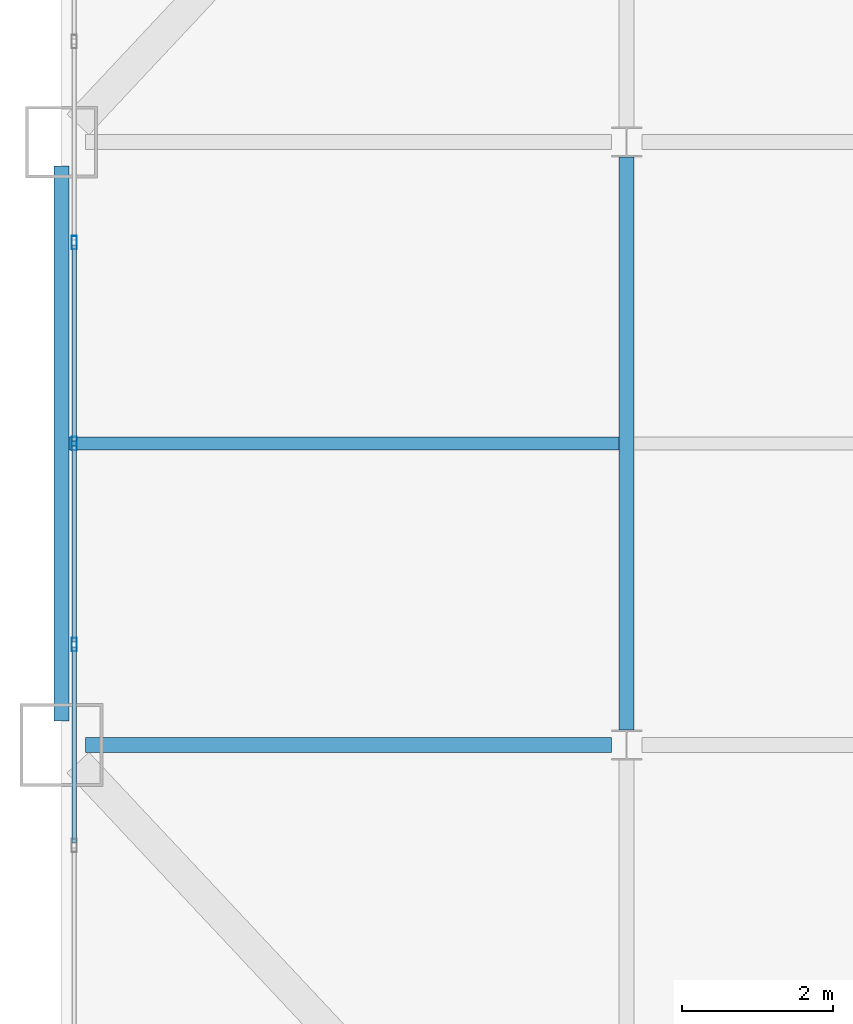
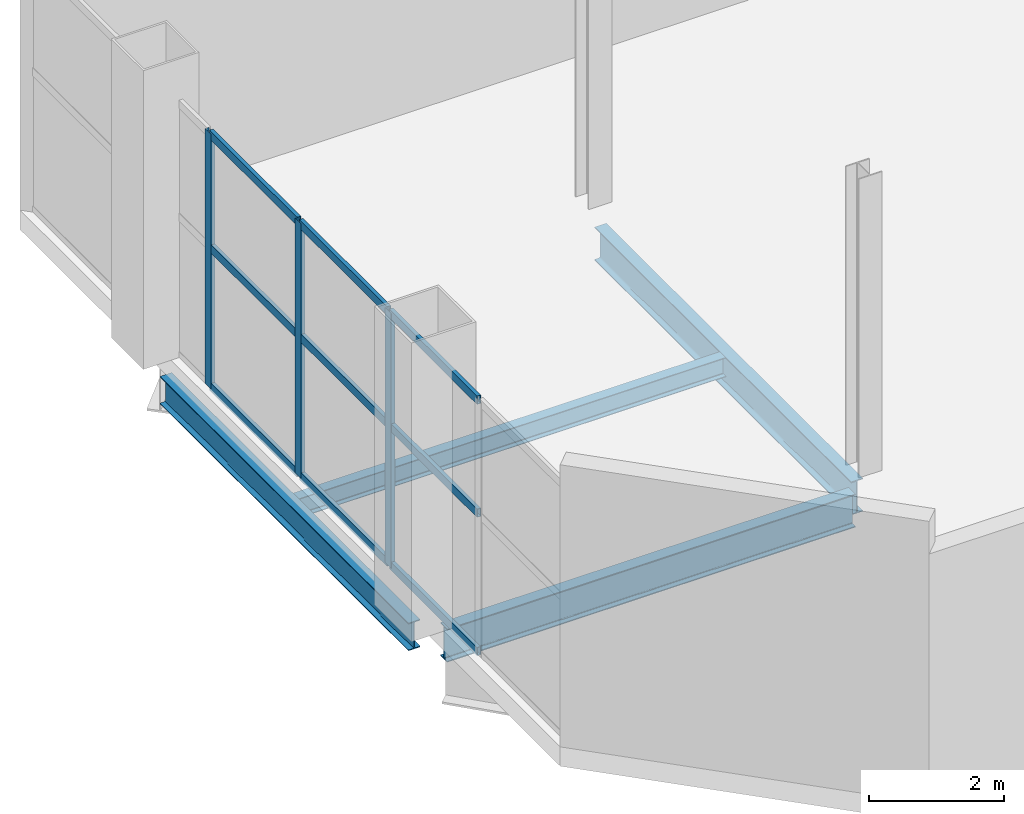
# One storey, part 14 of 24: 12 members, 4 beams, 1 element without a shape of its own.
"""IFC4 building model written with IfcOpenShell, lengths in metres."""

from ifc_helpers import new_model, si_unit, direction, frame, origin, origin_2d, place, context, subcontext, project, spatial, hollow_rectangle, i_section, extrude, material, layer, layer_set, material_profile, profile_set, type_object, element, aggregate, save


model = new_model("IFC4")

# Units and contexts
model_context = context("Model", 3, precision=1e-05, world=origin(), true_north=direction((0.0, 1.0)))
body_context = subcontext(model_context, "Body", "Model", "MODEL_VIEW")
ifc_project = project(units=[si_unit("LENGTHUNIT", "METRE"), si_unit("AREAUNIT", "SQUARE_METRE"), si_unit("VOLUMEUNIT", "CUBIC_METRE"), si_unit("PLANEANGLEUNIT", "RADIAN"), si_unit("MASSUNIT", "GRAM", prefix="KILO")], contexts=[model_context])

# Site, building, storey
site_placement = place(None, origin())
site = spatial("IfcSite", under=ifc_project, at=site_placement, CompositionType="ELEMENT")
building_placement = place(site_placement, origin())
building = spatial("IfcBuilding", under=site, at=building_placement, Name="Qianrong Seaharbour Tower", CompositionType="ELEMENT")
storey_placement = place(building_placement, frame((0.0, 0.0, 195.0)))
storey = spatial("IfcBuildingStorey", under=building, at=storey_placement, Name="L47", CompositionType="ELEMENT", Elevation=195.0)

# Beams
ifc_material_1 = material(Name="Structural steel SN490B", Category="steel")
ifc_material_profile_1 = material_profile(ifc_material_1, i_section(OverallWidth=0.199951171875, OverallDepth=0.60009765625, WebThickness=0.010986328125, FlangeThickness=0.01708984375, FilletRadius=0.02197265625, at=origin_2d()), Name="H600x200x11x17")
ifc_profile_set_1 = profile_set([ifc_material_profile_1], Name="Structural steel SN490B")
beam_type_1 = type_object("IfcBeamType", Name="BM-G-600", PredefinedType="BEAM", material=ifc_profile_set_1)
beam_1_placement = place(storey_placement, frame((9.320068359375, 36.0, -0.64990234375), z_axis=(1.0, 0.0, 0.0), x_axis=(0.0, 1.0, 0.0)))
element("IfcBeam", 1, at=beam_1_placement, inside=storey, type_object=beam_type_1, Name="L47 Primary Girder GF G2-G3", PredefinedType="BEAM", context=body_context, shape_type="SweptSolid", body=[
    extrude(i_section(OverallWidth=0.199951171875, OverallDepth=0.60009765625, WebThickness=0.010986328125, FlangeThickness=0.01708984375, FilletRadius=0.02197265625, at=origin_2d()), origin(), (0.0, 0.0, 1.0), 6.97998046875),
])
beam_2_placement = place(storey_placement, frame((16.5, 36.199951171875, -0.64990234375), z_axis=(0.0, 1.0, 0.0), x_axis=(-1.0, 0.0, 0.0)))
element("IfcBeam", 2, at=beam_2_placement, inside=storey, type_object=beam_type_1, Name="L47 Primary Girder G3 GF-GG", PredefinedType="BEAM", context=body_context, shape_type="SweptSolid", body=[
    extrude(i_section(OverallWidth=0.199951171875, OverallDepth=0.60009765625, WebThickness=0.010986328125, FlangeThickness=0.01708984375, FilletRadius=0.02197265625, at=origin_2d()), origin(), (0.0, 0.0, 1.0), 7.60009765625),
])
ifc_material_2 = material(Name="Structural steel SN400B", Category="steel")
ifc_material_profile_2 = material_profile(ifc_material_2, i_section(OverallWidth=0.175048828125, OverallDepth=0.35009765625, WebThickness=0.007080078125, FlangeThickness=0.010986328125, FilletRadius=0.013916015625, at=origin_2d()), Name="H350x175x7x11")
ifc_profile_set_2 = profile_set([ifc_material_profile_2], Name="Structural steel SN400B")
beam_type_2 = type_object("IfcBeamType", Name="BM-J-350", PredefinedType="JOIST", material=ifc_profile_set_2)
beam_3_placement = place(storey_placement, frame((9.10009765625, 40.0, -0.52490234375), z_axis=(1.0, 0.0, 0.0), x_axis=(0.0, 1.0, 0.0)))
element("IfcBeam", 3, at=beam_3_placement, inside=storey, type_object=beam_type_2, Name="L47 Composite Floor Joist G2-G3/GF-GG", PredefinedType="JOIST", context=body_context, shape_type="SweptSolid", body=[
    extrude(i_section(OverallWidth=0.175048828125, OverallDepth=0.35009765625, WebThickness=0.007080078125, FlangeThickness=0.010986328125, FilletRadius=0.013916015625, at=origin_2d()), origin(), (0.0, 0.0, 1.0), 7.2998046875),
])
ifc_material_profile_3 = material_profile(ifc_material_1, i_section(OverallWidth=0.199951171875, OverallDepth=0.5, WebThickness=0.010009765625, FlangeThickness=0.01611328125, FilletRadius=0.02001953125, at=origin_2d()), Name="H500x200x10x16")
ifc_profile_set_3 = profile_set([ifc_material_profile_3], Name="Structural steel SN490B")
beam_type_3 = type_object("IfcBeamType", Name="BM-SP-500", PredefinedType="SPANDREL", material=ifc_profile_set_3)
beam_4_placement = place(storey_placement, frame((9.0, 36.320068359375, -0.60009765625), z_axis=(0.0, 1.0, 0.0), x_axis=(-1.0, 0.0, 0.0)))
element("IfcBeam", 4, at=beam_4_placement, inside=storey, type_object=beam_type_3, Name="L47 Spandrel Girder G2 GF-GG", PredefinedType="SPANDREL", context=body_context, shape_type="SweptSolid", body=[
    extrude(i_section(OverallWidth=0.199951171875, OverallDepth=0.5, WebThickness=0.010009765625, FlangeThickness=0.01611328125, FilletRadius=0.02001953125, at=origin_2d()), origin(), (0.0, 0.0, 1.0), 7.35986328125),
])

# Curtain wall, members
ifc_material_3 = material(Name="Anodised aluminium 6063-T6 and laminated low-e glass", Category="aluminium")
ifc_layer = layer(ifc_material_3, 0.18505859375)
ifc_layer_set = layer_set([ifc_layer], Name="Anodised aluminium 6063-T6 and laminated low-e glass")
curtain_wall_type = type_object("IfcCurtainWallType", Name="CW-SYS-4", PredefinedType="NOTDEFINED", material=ifc_layer_set)
curtain_wall_placement = place(storey_placement, origin())
curtain_wall = element("IfcCurtainWall", 5, at=curtain_wall_placement, inside=storey, type_object=curtain_wall_type, Name="L47 Refuge Acoustic Louvre Curtain Wall WEST_TIP", PredefinedType="NOTDEFINED")
ifc_material_4 = material(Name="Extruded aluminium 6063-T6", Category="aluminium")
ifc_material_profile_4 = material_profile(ifc_material_4, hollow_rectangle(XDim=0.070068359375, YDim=0.179931640625, WallThickness=0.00390625, at=origin_2d()), Name="ALU-MUL-180x70x4")
ifc_profile_set_4 = profile_set([ifc_material_profile_4], Name="Extruded aluminium 6063-T6")
member_type_1 = type_object("IfcMemberType", Name="CW-MUL-180", PredefinedType="MULLION", material=ifc_profile_set_4)
member_1_placement = place(storey_placement, frame((9.169921875, 37.333251953125, 0.0), z_axis=(0.0, 0.0, 1.0), x_axis=(-1.0, 0.0, 0.0)))
member_1 = element("IfcMember", 6, at=member_1_placement, type_object=member_type_1, Name="CW-4 mullion 3", PredefinedType="MULLION", context=body_context, shape_type="SweptSolid", body=[
    extrude(hollow_rectangle(XDim=0.070068359375, YDim=0.179931640625, WallThickness=0.00390625, at=origin_2d()), origin(), (0.0, 0.0, 1.0), 4.610107421875),
])
member_2_placement = place(storey_placement, frame((9.169921875, 40.0, 0.0), z_axis=(0.0, 0.0, 1.0), x_axis=(-1.0, 0.0, 0.0)))
member_2 = element("IfcMember", 7, at=member_2_placement, type_object=member_type_1, Name="CW-4 mullion 4", PredefinedType="MULLION", context=body_context, shape_type="SweptSolid", body=[
    extrude(hollow_rectangle(XDim=0.070068359375, YDim=0.179931640625, WallThickness=0.00390625, at=origin_2d()), origin(), (0.0, 0.0, 1.0), 4.610107421875),
])
member_3_placement = place(storey_placement, frame((9.169921875, 42.666748046875, 0.0), z_axis=(0.0, 0.0, 1.0), x_axis=(-1.0, 0.0, 0.0)))
member_3 = element("IfcMember", 8, at=member_3_placement, type_object=member_type_1, Name="CW-4 mullion 5", PredefinedType="MULLION", context=body_context, shape_type="SweptSolid", body=[
    extrude(hollow_rectangle(XDim=0.070068359375, YDim=0.179931640625, WallThickness=0.00390625, at=origin_2d()), origin(), (0.0, 0.0, 1.0), 4.610107421875),
])
ifc_material_profile_5 = material_profile(ifc_material_4, hollow_rectangle(XDim=0.06494140625, YDim=0.14990234375, WallThickness=0.00390625, at=origin_2d()), Name="ALU-TRN-150x65x4")
ifc_profile_set_5 = profile_set([ifc_material_profile_5], Name="Extruded aluminium 6063-T6")
member_type_2 = type_object("IfcMemberType", Name="CW-TRN-150", PredefinedType="USERDEFINED", material=ifc_profile_set_5)
member_4_placement = place(storey_placement, frame((9.169921875, 34.70166015625, 0.032470703125), z_axis=(0.0, 1.0, 0.0), x_axis=(-1.0, 0.0, 0.0)))
member_4 = element("IfcMember", 9, at=member_4_placement, type_object=member_type_2, Name="CW-4 transom 2.1", ObjectType="TRANSOM", PredefinedType="USERDEFINED", context=body_context, shape_type="SweptSolid", body=[
    extrude(hollow_rectangle(XDim=0.06494140625, YDim=0.14990234375, WallThickness=0.00390625, at=origin_2d()), origin(), (0.0, 0.0, 1.0), 2.5966796875),
])
member_5_placement = place(storey_placement, frame((9.169921875, 34.70166015625, 2.535400390625), z_axis=(0.0, 1.0, 0.0), x_axis=(-1.0, 0.0, 0.0)))
member_5 = element("IfcMember", 10, at=member_5_placement, type_object=member_type_2, Name="CW-4 transom 2.2", ObjectType="TRANSOM", PredefinedType="USERDEFINED", context=body_context, shape_type="SweptSolid", body=[
    extrude(hollow_rectangle(XDim=0.06494140625, YDim=0.14990234375, WallThickness=0.00390625, at=origin_2d()), origin(), (0.0, 0.0, 1.0), 2.5966796875),
])
member_6_placement = place(storey_placement, frame((9.169921875, 34.70166015625, 4.577392578125), z_axis=(0.0, 1.0, 0.0), x_axis=(-1.0, 0.0, 0.0)))
member_6 = element("IfcMember", 11, at=member_6_placement, type_object=member_type_2, Name="CW-4 transom 2.3", ObjectType="TRANSOM", PredefinedType="USERDEFINED", context=body_context, shape_type="SweptSolid", body=[
    extrude(hollow_rectangle(XDim=0.06494140625, YDim=0.14990234375, WallThickness=0.00390625, at=origin_2d()), origin(), (0.0, 0.0, 1.0), 2.5966796875),
])
member_7_placement = place(storey_placement, frame((9.169921875, 37.368408203125, 0.032470703125), z_axis=(0.0, 1.0, 0.0), x_axis=(-1.0, 0.0, 0.0)))
member_7 = element("IfcMember", 12, at=member_7_placement, type_object=member_type_2, Name="CW-4 transom 3.1", ObjectType="TRANSOM", PredefinedType="USERDEFINED", context=body_context, shape_type="SweptSolid", body=[
    extrude(hollow_rectangle(XDim=0.06494140625, YDim=0.14990234375, WallThickness=0.00390625, at=origin_2d()), origin(), (0.0, 0.0, 1.0), 2.5966796875),
])
member_8_placement = place(storey_placement, frame((9.169921875, 37.368408203125, 2.535400390625), z_axis=(0.0, 1.0, 0.0), x_axis=(-1.0, 0.0, 0.0)))
member_8 = element("IfcMember", 13, at=member_8_placement, type_object=member_type_2, Name="CW-4 transom 3.2", ObjectType="TRANSOM", PredefinedType="USERDEFINED", context=body_context, shape_type="SweptSolid", body=[
    extrude(hollow_rectangle(XDim=0.06494140625, YDim=0.14990234375, WallThickness=0.00390625, at=origin_2d()), origin(), (0.0, 0.0, 1.0), 2.5966796875),
])
member_9_placement = place(storey_placement, frame((9.169921875, 37.368408203125, 4.577392578125), z_axis=(0.0, 1.0, 0.0), x_axis=(-1.0, 0.0, 0.0)))
member_9 = element("IfcMember", 14, at=member_9_placement, type_object=member_type_2, Name="CW-4 transom 3.3", ObjectType="TRANSOM", PredefinedType="USERDEFINED", context=body_context, shape_type="SweptSolid", body=[
    extrude(hollow_rectangle(XDim=0.06494140625, YDim=0.14990234375, WallThickness=0.00390625, at=origin_2d()), origin(), (0.0, 0.0, 1.0), 2.5966796875),
])
member_10_placement = place(storey_placement, frame((9.169921875, 40.034912109375, 0.032470703125), z_axis=(0.0, 1.0, 0.0), x_axis=(-1.0, 0.0, 0.0)))
member_10 = element("IfcMember", 15, at=member_10_placement, type_object=member_type_2, Name="CW-4 transom 4.1", ObjectType="TRANSOM", PredefinedType="USERDEFINED", context=body_context, shape_type="SweptSolid", body=[
    extrude(hollow_rectangle(XDim=0.06494140625, YDim=0.14990234375, WallThickness=0.00390625, at=origin_2d()), origin(), (0.0, 0.0, 1.0), 2.5966796875),
])
member_11_placement = place(storey_placement, frame((9.169921875, 40.034912109375, 2.535400390625), z_axis=(0.0, 1.0, 0.0), x_axis=(-1.0, 0.0, 0.0)))
member_11 = element("IfcMember", 16, at=member_11_placement, type_object=member_type_2, Name="CW-4 transom 4.2", ObjectType="TRANSOM", PredefinedType="USERDEFINED", context=body_context, shape_type="SweptSolid", body=[
    extrude(hollow_rectangle(XDim=0.06494140625, YDim=0.14990234375, WallThickness=0.00390625, at=origin_2d()), origin(), (0.0, 0.0, 1.0), 2.5966796875),
])
member_12_placement = place(storey_placement, frame((9.169921875, 40.034912109375, 4.577392578125), z_axis=(0.0, 1.0, 0.0), x_axis=(-1.0, 0.0, 0.0)))
member_12 = element("IfcMember", 17, at=member_12_placement, type_object=member_type_2, Name="CW-4 transom 4.3", ObjectType="TRANSOM", PredefinedType="USERDEFINED", context=body_context, shape_type="SweptSolid", body=[
    extrude(hollow_rectangle(XDim=0.06494140625, YDim=0.14990234375, WallThickness=0.00390625, at=origin_2d()), origin(), (0.0, 0.0, 1.0), 2.5966796875),
])
aggregate(curtain_wall, [member_1, member_2, member_3, member_4, member_5, member_6, member_7, member_8, member_9, member_10, member_11, member_12])

save(model, "model.ifc")
